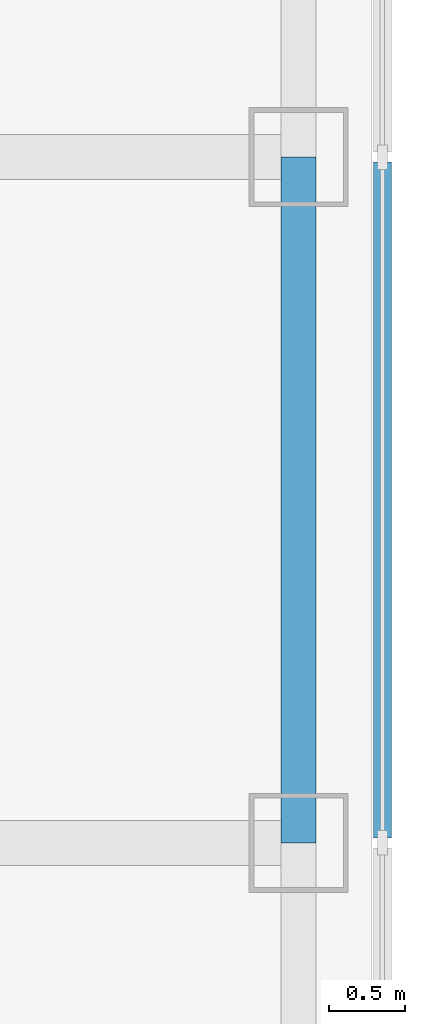
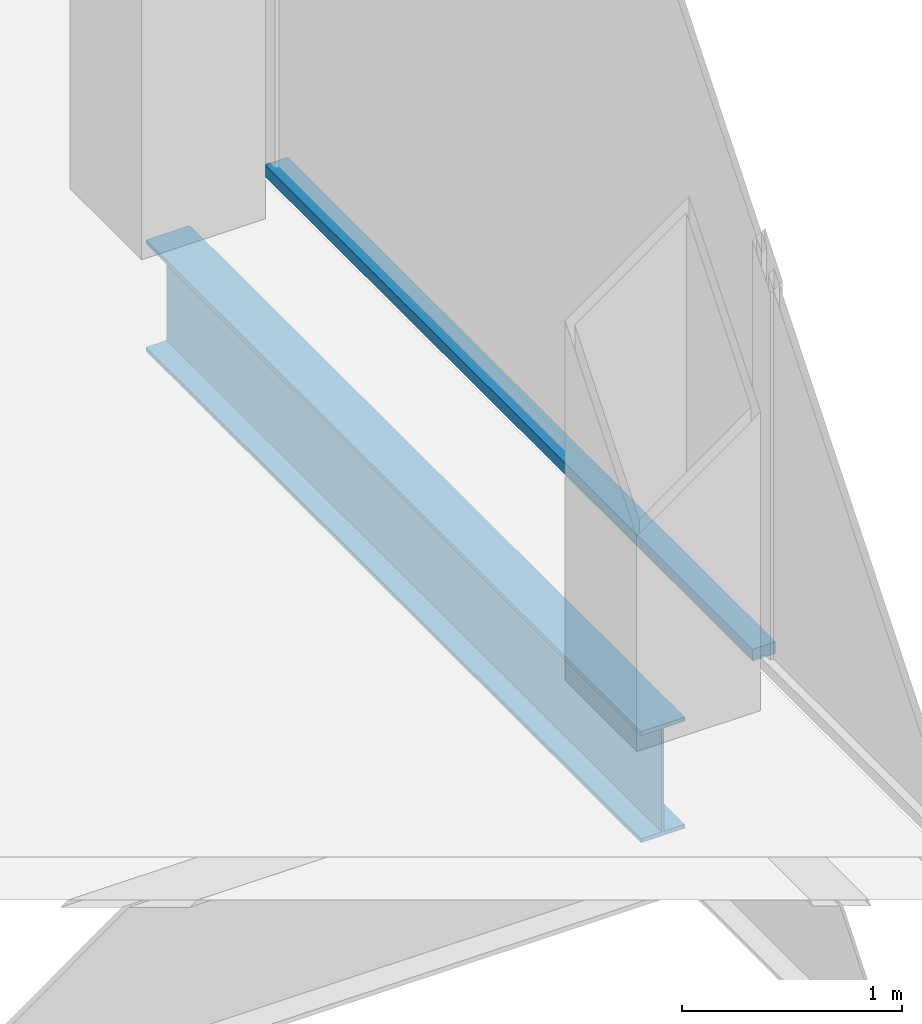
# One storey, part 5 of 13: 1 beam, 1 member, 1 element without a shape of its own.
"""IFC4 building model written with IfcOpenShell, lengths in metres."""

from ifc_helpers import new_model, si_unit, direction, frame, origin, origin_2d, place, context, subcontext, project, spatial, rectangle, i_section, extrude, material, material_profile, profile_set, type_object, element, aggregate, save


model = new_model("IFC4")

# Units and contexts
model_context = context("Model", 3, precision=1e-05, world=origin(), true_north=direction((0.0, 1.0)))
body_context = subcontext(model_context, "Body", "Model", "MODEL_VIEW")
ifc_project = project(units=[si_unit("LENGTHUNIT", "METRE"), si_unit("AREAUNIT", "SQUARE_METRE"), si_unit("VOLUMEUNIT", "CUBIC_METRE"), si_unit("PLANEANGLEUNIT", "RADIAN"), si_unit("MASSUNIT", "GRAM", prefix="KILO")], contexts=[model_context])

# Site, building, storey
site_placement = place(None, origin())
site = spatial("IfcSite", under=ifc_project, at=site_placement, CompositionType="ELEMENT")
building_placement = place(site_placement, origin())
building = spatial("IfcBuilding", under=site, at=building_placement, Name="Corais Broadcast Tower", CompositionType="ELEMENT")
storey_placement = place(building_placement, frame((0.0, 0.0, 222.60009765625)))
storey = spatial("IfcBuildingStorey", under=building, at=storey_placement, Name="L51", CompositionType="ELEMENT", Elevation=222.60009765625)

# Beam
ifc_material_1 = material(Name="Steel ASTM A572 Grade 50", Category="steel")
ifc_material_profile_1 = material_profile(ifc_material_1, i_section(OverallWidth=0.22998046875, OverallDepth=0.616943359375, WebThickness=0.01318359375, FlangeThickness=0.022216796875, at=origin_2d()), Name="W610x140")
ifc_profile_set_1 = profile_set([ifc_material_profile_1], Name="Steel ASTM A572 Grade 50")
beam_type = type_object("IfcBeamType", Name="Spandrel W610x140", PredefinedType="BEAM", material=ifc_profile_set_1)
beam_placement = place(storey_placement, frame((54.0, 27.0, -0.468505859375), z_axis=(0.0, 1.0, 0.0), x_axis=(-1.0, 0.0, 0.0)))
element("IfcBeam", 1, at=beam_placement, inside=storey, type_object=beam_type, Name="SB3 G/15 to H/15", PredefinedType="BEAM", context=body_context, shape_type="SweptSolid", body=[
    extrude(i_section(OverallWidth=0.22998046875, OverallDepth=0.616943359375, WebThickness=0.01318359375, FlangeThickness=0.022216796875, at=origin_2d()), origin(), (0.0, 0.0, 1.0), 4.5),
])

# Curtain wall, member
ifc_material_2 = material(Name="Aluminium and glass", Category="aluminium")
curtain_wall_type = type_object("IfcCurtainWallType", Name="Unitised fritted curtain wall CW3", PredefinedType="NOTDEFINED", material=ifc_material_2)
curtain_wall_placement = place(storey_placement, origin())
curtain_wall = element("IfcCurtainWall", 2, at=curtain_wall_placement, inside=storey, type_object=curtain_wall_type, Name="CW3 curtain wall L51 6", PredefinedType="NOTDEFINED")
ifc_material_3 = material(Name="Aluminium 6063-T6", Category="aluminium")
ifc_material_profile_2 = material_profile(ifc_material_3, rectangle(XDim=0.1201171875, YDim=0.06494140625, at=origin_2d()), Name="Transom CW3 65x120")
ifc_profile_set_2 = profile_set([ifc_material_profile_2], Name="Aluminium 6063-T6")
member_type = type_object("IfcMemberType", Name="Transom CW3 65x120", PredefinedType="USERDEFINED", material=ifc_profile_set_2)
member_placement = place(storey_placement, frame((54.550048828125, 31.467529296875, 0.032470703125), z_axis=(0.0, -1.0, 0.0), x_axis=(1.0, 0.0, 0.0)))
member = element("IfcMember", 3, at=member_placement, type_object=member_type, Name="CW3 transom 3.1", ObjectType="TRANSOM", PredefinedType="USERDEFINED", context=body_context, shape_type="SweptSolid", body=[
    extrude(rectangle(XDim=0.1201171875, YDim=0.06494140625, at=origin_2d()), origin(), (0.0, 0.0, 1.0), 4.43505859375),
])
aggregate(curtain_wall, [member])

save(model, "model.ifc")
